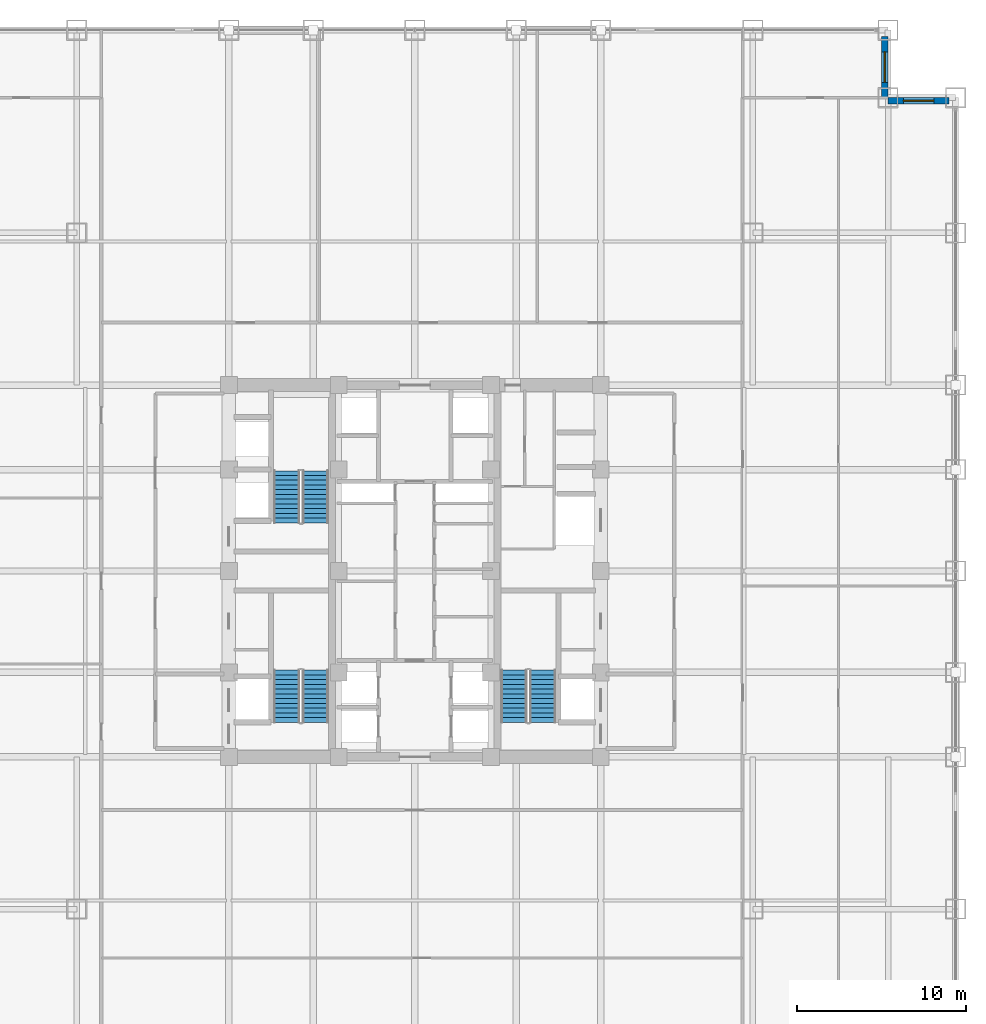
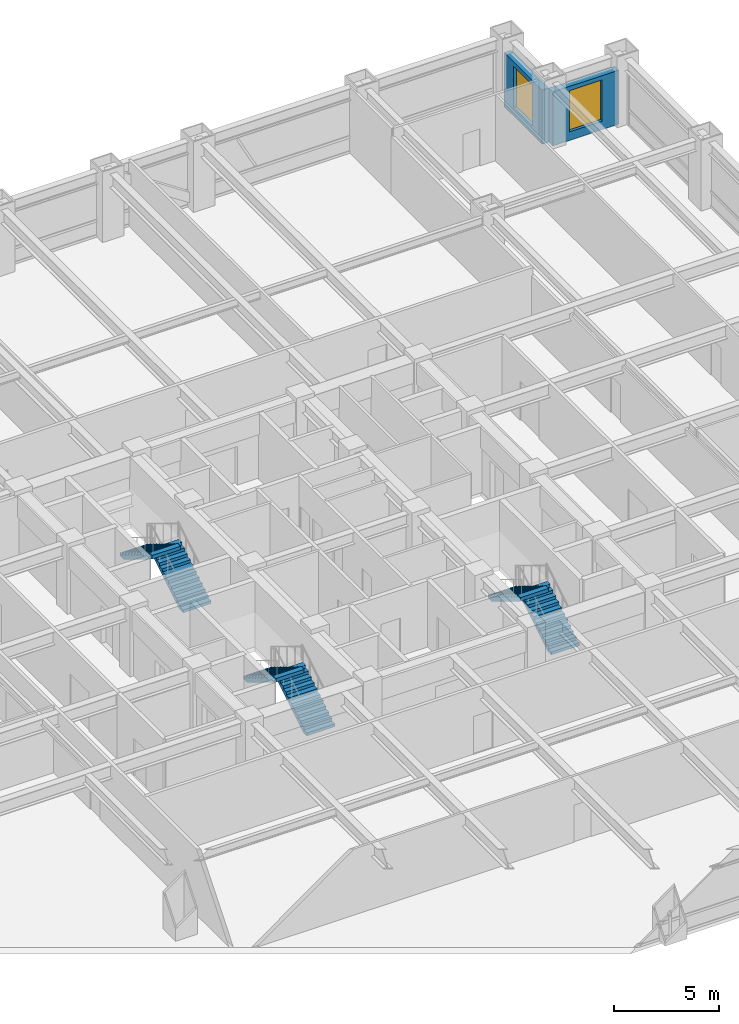
# One storey, part 27 of 28: 6 stair flights, 2 walls, 2 windows, 2 openings, 3 elements without a shape of their own.
"""IFC4 building model written with IfcOpenShell, lengths in metres."""

from ifc_helpers import new_model, si_unit, direction, frame, frame_2d, origin, place, context, subcontext, project, spatial, polyline, rectangle, outline, extrude, source, transform, mapped, material, layer, layer_set, type_object, element, fill, aggregate, save


model = new_model("IFC4")

# Units and contexts
model_context = context("Model", 3, precision=1e-05, world=origin(), true_north=direction((0.0, 1.0)))
body_context = subcontext(model_context, "Body", "Model", "MODEL_VIEW")
ifc_project = project(units=[si_unit("LENGTHUNIT", "METRE"), si_unit("AREAUNIT", "SQUARE_METRE"), si_unit("VOLUMEUNIT", "CUBIC_METRE"), si_unit("PLANEANGLEUNIT", "RADIAN"), si_unit("MASSUNIT", "GRAM", prefix="KILO")], contexts=[model_context])

# Site, building, storey
site_placement = place(None, origin())
site = spatial("IfcSite", under=ifc_project, at=site_placement, CompositionType="ELEMENT")
building_placement = place(site_placement, origin())
building = spatial("IfcBuilding", under=site, at=building_placement, Name="Khorayat Bourse Tower", CompositionType="ELEMENT")
storey_placement = place(building_placement, frame((0.0, 0.0, 124.199951171875)))
storey = spatial("IfcBuildingStorey", under=building, at=storey_placement, Name="L28", CompositionType="ELEMENT", Elevation=124.199951171875)

# Wall, opening, window
ifc_material_1 = material(Name="Precast concrete C45/55", Category="concrete")
ifc_layer = layer(ifc_material_1, 0.3798828125)
ifc_layer_set = layer_set([ifc_layer], Name="Precast concrete C45/55")
wall_type = type_object("IfcWallType", Name="WAL-EXT-STONE-380", PredefinedType="STANDARD", material=ifc_layer_set)
shared_shape_1 = source(origin(), body_context, "Body", "SweptSolid", [
    extrude(rectangle(XDim=3.6201171875, YDim=0.3798828125, at=frame_2d((1.81005859375, 0.0))), origin(), (0.0, 0.0, 1.0), 3.14501953125),
])
wall_1_placement = place(storey_placement, frame((28.0, 27.81005859375, 0.0), z_axis=(0.0, 0.0, 1.0), x_axis=(1.0, 0.0, 0.0)))
wall_1 = element("IfcWall", 1, at=wall_1_placement, inside=storey, type_object=wall_type, Name="L28 Re-Entrant Notch Limestone Wall NE-H", PredefinedType="STANDARD", context=body_context, shape_type="MappedRepresentation", body=[
    mapped(shared_shape_1, transform((0.0, 0.0, 0.0), scale=1.0)),
])
shared_shape_2 = source(origin(), body_context, "Body", "SweptSolid", [
    extrude(rectangle(XDim=1.800048828125, YDim=2.39990234375, at=frame_2d((0.89990234375, 1.199951171875))), frame((0.0, 0.199951171875, 0.0), z_axis=(0.0, -1.0, 0.0), x_axis=(1.0, 0.0, 0.0)), (0.0, 0.0, 1.0), 0.39990234375),
])
opening_1_placement = place(wall_1_placement, frame((0.909912109375, 0.0, 0.5)))
opening_1 = element("IfcOpeningElement", 2, at=opening_1_placement, cuts=wall_1, Name="Opening WN-04", PredefinedType="OPENING", context=body_context, shape_type="MappedRepresentation", body=[
    mapped(shared_shape_2, transform((0.0, 0.0, 0.0), scale=1.0)),
])
ifc_material_2 = material(Name="Low-E acoustic laminated double glazing", Category="glass")
window_type = type_object("IfcWindowType", Name="WIN-NOTCH-1800x2400", PartitioningType="SINGLE_PANEL", PredefinedType="WINDOW", material=ifc_material_2)
shared_shape_3 = source(origin(), body_context, "Body", "SweptSolid", [
    extrude(rectangle(XDim=1.800048828125, YDim=2.39990234375, at=frame_2d((0.89990234375, 1.199951171875))), frame((0.0, 0.030029296875, 0.0), z_axis=(0.0, -1.0, 0.0), x_axis=(1.0, 0.0, 0.0)), (0.0, 0.0, 1.0), 0.06005859375),
])
window_1_placement = place(opening_1_placement, origin())
window_1 = element("IfcWindow", 3, at=window_1_placement, inside=storey, type_object=window_type, Name="L28 Facade Window 1", OverallHeight=2.39990234375, OverallWidth=1.800048828125, PartitioningType="SINGLE_PANEL", PredefinedType="WINDOW", context=body_context, shape_type="MappedRepresentation", body=[
    mapped(shared_shape_3, transform((0.0, 0.0, 0.0), scale=1.0)),
])
fill(opening_1, window_1)

wall_2_placement = place(storey_placement, frame((27.81005859375, 28.0, 0.0), z_axis=(0.0, 0.0, 1.0), x_axis=(0.0, 1.0, 0.0)))
wall_2 = element("IfcWall", 4, at=wall_2_placement, inside=storey, type_object=wall_type, Name="L28 Re-Entrant Notch Limestone Wall NE-V", PredefinedType="STANDARD", context=body_context, shape_type="MappedRepresentation", body=[
    mapped(shared_shape_1, transform((0.0, 0.0, 0.0), scale=1.0)),
])
opening_2_placement = place(wall_2_placement, frame((0.909912109375, 0.0, 0.5)))
opening_2 = element("IfcOpeningElement", 5, at=opening_2_placement, cuts=wall_2, Name="Opening WN-04", PredefinedType="OPENING", context=body_context, shape_type="MappedRepresentation", body=[
    mapped(shared_shape_2, transform((0.0, 0.0, 0.0), scale=1.0)),
])
window_2_placement = place(opening_2_placement, origin())
window_2 = element("IfcWindow", 6, at=window_2_placement, inside=storey, type_object=window_type, Name="L28 Facade Window 1", OverallHeight=2.39990234375, OverallWidth=1.800048828125, PartitioningType="SINGLE_PANEL", PredefinedType="WINDOW", context=body_context, shape_type="MappedRepresentation", body=[
    mapped(shared_shape_3, transform((0.0, 0.0, 0.0), scale=1.0)),
])
fill(opening_2, window_2)

# Stair, stair flights
ifc_material_3 = material(Name="Concrete C40/50", Category="concrete")
stair_type = type_object("IfcStairType", Name="STR-CORE-1550", PredefinedType="HALF_TURN_STAIR", material=ifc_material_3)
stair_1_placement = place(storey_placement, origin())
stair_1 = element("IfcStair", 7, at=stair_1_placement, inside=storey, type_object=stair_type, Name="L28 Exit Stair ST-1", PredefinedType="HALF_TURN_STAIR")
stair_flight_type = type_object("IfcStairFlightType", Name="FLT-CORE-1550", PredefinedType="STRAIGHT", material=ifc_material_3)
shared_shape_4 = source(origin(), body_context, "Body", "SweptSolid", [
    extrude(outline(polyline([(0.0, 0.0), (0.0, 0.1708984375), (0.280029296875, 0.1708984375), (0.280029296875, 0.341552734375), (0.56005859375, 0.341552734375), (0.56005859375, 0.512451171875), (0.840087890625, 0.512451171875), (0.840087890625, 0.683349609375), (1.1201171875, 0.683349609375), (1.1201171875, 0.854248046875), (1.39990234375, 0.854248046875), (1.39990234375, 1.02490234375), (1.679931640625, 1.02490234375), (1.679931640625, 1.19580078125), (1.9599609375, 1.19580078125), (1.9599609375, 1.36669921875), (2.239990234375, 1.36669921875), (2.239990234375, 1.53759765625), (2.52001953125, 1.53759765625), (2.52001953125, 1.708251953125), (2.800048828125, 1.708251953125), (2.800048828125, 1.879150390625), (3.080078125, 1.879150390625), (3.080078125, 2.050048828125), (3.080078125, 1.66845703125), (0.345458984375, 0.0), (0.0, 0.0)])), frame((0.0, 0.77490234375, 0.0), z_axis=(0.0, -1.0, 0.0), x_axis=(1.0, 0.0, 0.0)), (0.0, 0.0, 1.0), 1.550048828125),
])
stair_flight_1_placement = place(storey_placement, frame((-5.875, -8.949951171875, 0.0), z_axis=(0.0, 0.0, 1.0), x_axis=(0.0, 1.0, 0.0)))
stair_flight_1 = element("IfcStairFlight", 8, at=stair_flight_1_placement, type_object=stair_flight_type, Name="ST-1 flight 1", NumberOfRisers=12, NumberOfTreads=11, PredefinedType="STRAIGHT", RiserHeight=0.170833333, TreadLength=0.28, context=body_context, shape_type="MappedRepresentation", body=[
    mapped(shared_shape_4, transform((0.0, 0.0, 0.0), scale=1.0)),
])
stair_flight_2_placement = place(storey_placement, frame((-7.574951171875, -5.8701171875, 2.050048828125), z_axis=(0.0, 0.0, 1.0), x_axis=(0.0, -1.0, 0.0)))
stair_flight_2 = element("IfcStairFlight", 9, at=stair_flight_2_placement, type_object=stair_flight_type, Name="ST-1 flight 2", NumberOfRisers=12, NumberOfTreads=11, PredefinedType="STRAIGHT", RiserHeight=0.170833333, TreadLength=0.28, context=body_context, shape_type="MappedRepresentation", body=[
    mapped(shared_shape_4, transform((0.0, 0.0, 0.0), scale=1.0)),
])
aggregate(stair_1, [stair_flight_1, stair_flight_2])

stair_2_placement = place(storey_placement, origin())
stair_2 = element("IfcStair", 10, at=stair_2_placement, inside=storey, type_object=stair_type, Name="L28 Exit Stair ST-2", PredefinedType="HALF_TURN_STAIR")
stair_flight_3_placement = place(storey_placement, frame((-5.875, 2.85009765625, 0.0), z_axis=(0.0, 0.0, 1.0), x_axis=(0.0, 1.0, 0.0)))
stair_flight_3 = element("IfcStairFlight", 11, at=stair_flight_3_placement, type_object=stair_flight_type, Name="ST-2 flight 1", NumberOfRisers=12, NumberOfTreads=11, PredefinedType="STRAIGHT", RiserHeight=0.170833333, TreadLength=0.28, context=body_context, shape_type="MappedRepresentation", body=[
    mapped(shared_shape_4, transform((0.0, 0.0, 0.0), scale=1.0)),
])
stair_flight_4_placement = place(storey_placement, frame((-7.574951171875, 5.929931640625, 2.050048828125), z_axis=(0.0, 0.0, 1.0), x_axis=(0.0, -1.0, 0.0)))
stair_flight_4 = element("IfcStairFlight", 12, at=stair_flight_4_placement, type_object=stair_flight_type, Name="ST-2 flight 2", NumberOfRisers=12, NumberOfTreads=11, PredefinedType="STRAIGHT", RiserHeight=0.170833333, TreadLength=0.28, context=body_context, shape_type="MappedRepresentation", body=[
    mapped(shared_shape_4, transform((0.0, 0.0, 0.0), scale=1.0)),
])
aggregate(stair_2, [stair_flight_3, stair_flight_4])

stair_3_placement = place(storey_placement, origin())
stair_3 = element("IfcStair", 13, at=stair_3_placement, inside=storey, type_object=stair_type, Name="L28 Exit Stair ST-3", PredefinedType="HALF_TURN_STAIR")
stair_flight_5_placement = place(storey_placement, frame((7.574951171875, -8.949951171875, 0.0), z_axis=(0.0, 0.0, 1.0), x_axis=(0.0, 1.0, 0.0)))
stair_flight_5 = element("IfcStairFlight", 14, at=stair_flight_5_placement, type_object=stair_flight_type, Name="ST-3 flight 1", NumberOfRisers=12, NumberOfTreads=11, PredefinedType="STRAIGHT", RiserHeight=0.170833333, TreadLength=0.28, context=body_context, shape_type="MappedRepresentation", body=[
    mapped(shared_shape_4, transform((0.0, 0.0, 0.0), scale=1.0)),
])
stair_flight_6_placement = place(storey_placement, frame((5.875, -5.8701171875, 2.050048828125), z_axis=(0.0, 0.0, 1.0), x_axis=(0.0, -1.0, 0.0)))
stair_flight_6 = element("IfcStairFlight", 15, at=stair_flight_6_placement, type_object=stair_flight_type, Name="ST-3 flight 2", NumberOfRisers=12, NumberOfTreads=11, PredefinedType="STRAIGHT", RiserHeight=0.170833333, TreadLength=0.28, context=body_context, shape_type="MappedRepresentation", body=[
    mapped(shared_shape_4, transform((0.0, 0.0, 0.0), scale=1.0)),
])
aggregate(stair_3, [stair_flight_5, stair_flight_6])

save(model, "model.ifc")
